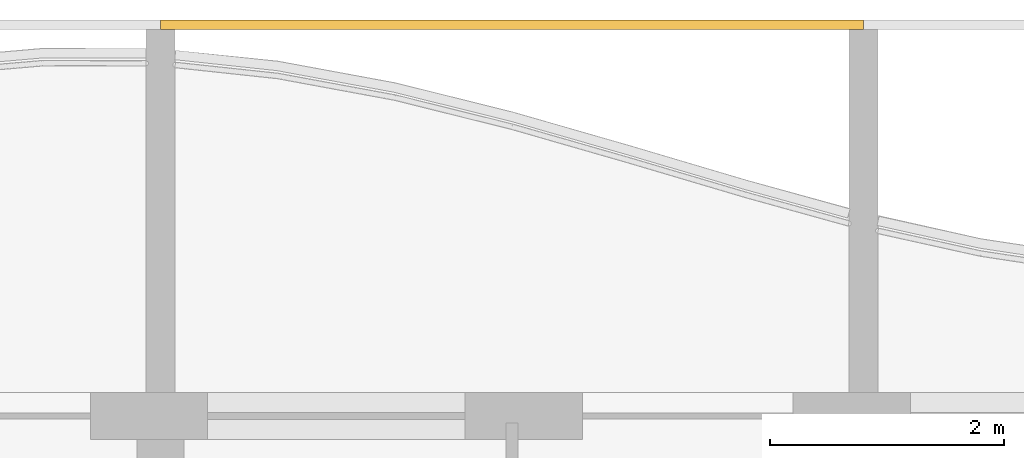
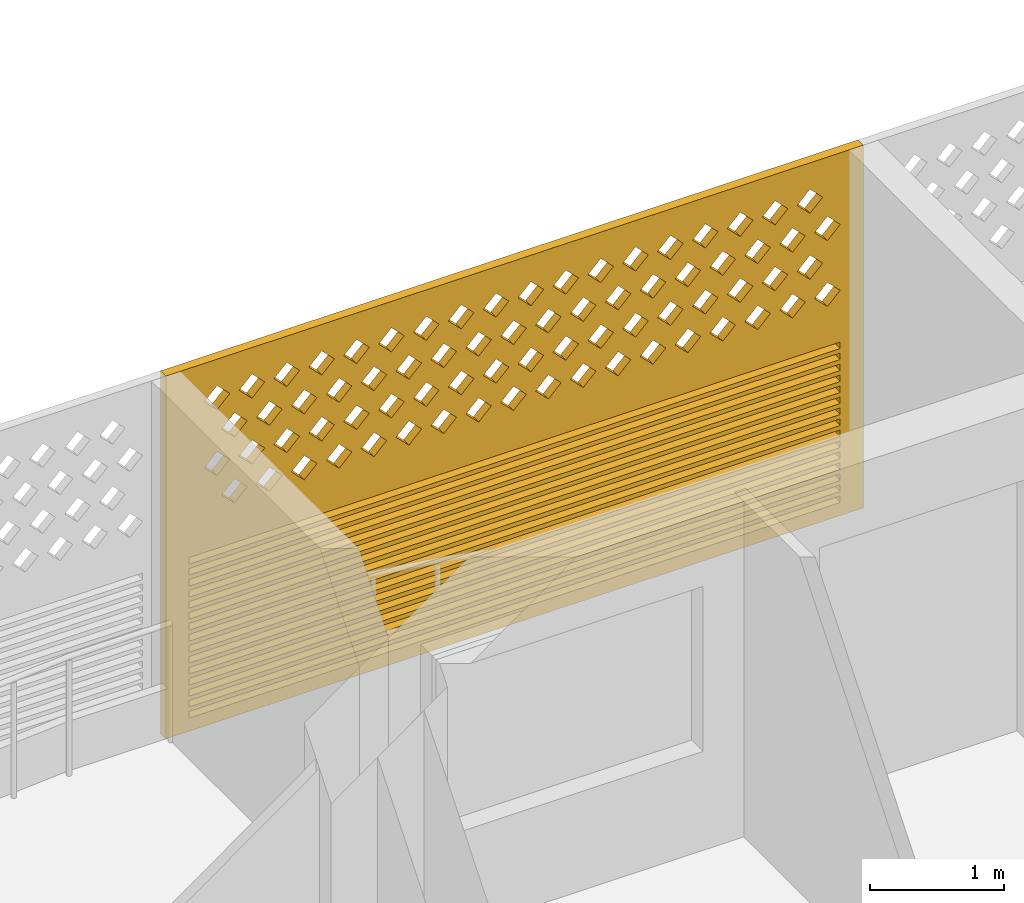
# One storey, part 38 of 40: 1 covering.
"""IFC4 building model written with IfcOpenShell, lengths in metres."""

from ifc_helpers import new_model, si_unit, direction, frame, origin, place, context, subcontext, project, spatial, polyline, outline, extrude, source, transform, mapped, material, material_profile, profile_set, type_object, element, save


model = new_model("IFC4")

# Units and contexts
model_context = context("Model", 3, precision=1e-05, world=origin(), true_north=direction((0.0, 1.0)))
body_context = subcontext(model_context, "Body", "Model", "MODEL_VIEW")
ifc_project = project(units=[si_unit("LENGTHUNIT", "METRE"), si_unit("AREAUNIT", "SQUARE_METRE"), si_unit("VOLUMEUNIT", "CUBIC_METRE"), si_unit("PLANEANGLEUNIT", "RADIAN"), si_unit("MASSUNIT", "GRAM", prefix="KILO")], contexts=[model_context])

# Site, building, storey
site_placement = place(None, origin())
site = spatial("IfcSite", under=ifc_project, at=site_placement, CompositionType="ELEMENT")
building_placement = place(site_placement, origin())
building = spatial("IfcBuilding", under=site, at=building_placement, Name="Poui Terraces", CompositionType="ELEMENT")
storey_placement = place(building_placement, frame((0.0, 0.0, 39.89990234375)))
storey = spatial("IfcBuildingStorey", under=building, at=storey_placement, Name="L10", CompositionType="ELEMENT", Elevation=39.89990234375)

# Covering
ifc_material = material(Name="Terracotta screen", Category="masonry")
ifc_material_profile = material_profile(ifc_material, outline(polyline([(-3.0, -1.64990234375), (3.0, -1.64990234375), (3.0, 1.64990234375), (-3.0, 1.64990234375), (-3.0, -1.64990234375)]), holes=[polyline([(-2.800048828125, 0.39990234375), (-2.68994140625, 0.2900390625), (-2.580078125, 0.39990234375), (-2.68994140625, 0.510009765625), (-2.800048828125, 0.39990234375)]), polyline([(-2.5, 0.39990234375), (-2.389892578125, 0.2900390625), (-2.280029296875, 0.39990234375), (-2.389892578125, 0.510009765625), (-2.5, 0.39990234375)]), polyline([(-2.199951171875, 0.39990234375), (-2.090087890625, 0.2900390625), (-1.97998046875, 0.39990234375), (-2.090087890625, 0.510009765625), (-2.199951171875, 0.39990234375)]), polyline([(-1.89990234375, 0.39990234375), (-1.7900390625, 0.2900390625), (-1.679931640625, 0.39990234375), (-1.7900390625, 0.510009765625), (-1.89990234375, 0.39990234375)]), polyline([(-1.60009765625, 0.39990234375), (-1.489990234375, 0.2900390625), (-1.3798828125, 0.39990234375), (-1.489990234375, 0.510009765625), (-1.60009765625, 0.39990234375)]), polyline([(-1.300048828125, 0.39990234375), (-1.18994140625, 0.2900390625), (-1.080078125, 0.39990234375), (-1.18994140625, 0.510009765625), (-1.300048828125, 0.39990234375)]), polyline([(-1.0, 0.39990234375), (-0.889892578125, 0.2900390625), (-0.780029296875, 0.39990234375), (-0.889892578125, 0.510009765625), (-1.0, 0.39990234375)]), polyline([(-0.699951171875, 0.39990234375), (-0.590087890625, 0.2900390625), (-0.47998046875, 0.39990234375), (-0.590087890625, 0.510009765625), (-0.699951171875, 0.39990234375)]), polyline([(-0.39990234375, 0.39990234375), (-0.2900390625, 0.2900390625), (-0.179931640625, 0.39990234375), (-0.2900390625, 0.510009765625), (-0.39990234375, 0.39990234375)]), polyline([(-0.10009765625, 0.39990234375), (0.010009765625, 0.2900390625), (0.1201171875, 0.39990234375), (0.010009765625, 0.510009765625), (-0.10009765625, 0.39990234375)]), polyline([(0.199951171875, 0.39990234375), (0.31005859375, 0.2900390625), (0.419921875, 0.39990234375), (0.31005859375, 0.510009765625), (0.199951171875, 0.39990234375)]), polyline([(0.5, 0.39990234375), (0.610107421875, 0.2900390625), (0.719970703125, 0.39990234375), (0.610107421875, 0.510009765625), (0.5, 0.39990234375)]), polyline([(0.800048828125, 0.39990234375), (0.909912109375, 0.2900390625), (1.02001953125, 0.39990234375), (0.909912109375, 0.510009765625), (0.800048828125, 0.39990234375)]), polyline([(1.10009765625, 0.39990234375), (1.2099609375, 0.2900390625), (1.320068359375, 0.39990234375), (1.2099609375, 0.510009765625), (1.10009765625, 0.39990234375)]), polyline([(1.39990234375, 0.39990234375), (1.510009765625, 0.2900390625), (1.6201171875, 0.39990234375), (1.510009765625, 0.510009765625), (1.39990234375, 0.39990234375)]), polyline([(1.699951171875, 0.39990234375), (1.81005859375, 0.2900390625), (1.919921875, 0.39990234375), (1.81005859375, 0.510009765625), (1.699951171875, 0.39990234375)]), polyline([(2.0, 0.39990234375), (2.110107421875, 0.2900390625), (2.219970703125, 0.39990234375), (2.110107421875, 0.510009765625), (2.0, 0.39990234375)]), polyline([(2.300048828125, 0.39990234375), (2.409912109375, 0.2900390625), (2.52001953125, 0.39990234375), (2.409912109375, 0.510009765625), (2.300048828125, 0.39990234375)]), polyline([(-2.64990234375, 0.699951171875), (-2.5400390625, 0.590087890625), (-2.429931640625, 0.699951171875), (-2.5400390625, 0.81005859375), (-2.64990234375, 0.699951171875)]), polyline([(-2.35009765625, 0.699951171875), (-2.239990234375, 0.590087890625), (-2.1298828125, 0.699951171875), (-2.239990234375, 0.81005859375), (-2.35009765625, 0.699951171875)]), polyline([(-2.050048828125, 0.699951171875), (-1.93994140625, 0.590087890625), (-1.830078125, 0.699951171875), (-1.93994140625, 0.81005859375), (-2.050048828125, 0.699951171875)]), polyline([(-1.75, 0.699951171875), (-1.639892578125, 0.590087890625), (-1.530029296875, 0.699951171875), (-1.639892578125, 0.81005859375), (-1.75, 0.699951171875)]), polyline([(-1.449951171875, 0.699951171875), (-1.340087890625, 0.590087890625), (-1.22998046875, 0.699951171875), (-1.340087890625, 0.81005859375), (-1.449951171875, 0.699951171875)]), polyline([(-1.14990234375, 0.699951171875), (-1.0400390625, 0.590087890625), (-0.929931640625, 0.699951171875), (-1.0400390625, 0.81005859375), (-1.14990234375, 0.699951171875)]), polyline([(-0.85009765625, 0.699951171875), (-0.739990234375, 0.590087890625), (-0.6298828125, 0.699951171875), (-0.739990234375, 0.81005859375), (-0.85009765625, 0.699951171875)]), polyline([(-0.550048828125, 0.699951171875), (-0.43994140625, 0.590087890625), (-0.330078125, 0.699951171875), (-0.43994140625, 0.81005859375), (-0.550048828125, 0.699951171875)]), polyline([(-0.25, 0.699951171875), (-0.139892578125, 0.590087890625), (-0.030029296875, 0.699951171875), (-0.139892578125, 0.81005859375), (-0.25, 0.699951171875)]), polyline([(0.050048828125, 0.699951171875), (0.159912109375, 0.590087890625), (0.27001953125, 0.699951171875), (0.159912109375, 0.81005859375), (0.050048828125, 0.699951171875)]), polyline([(0.35009765625, 0.699951171875), (0.4599609375, 0.590087890625), (0.570068359375, 0.699951171875), (0.4599609375, 0.81005859375), (0.35009765625, 0.699951171875)]), polyline([(0.64990234375, 0.699951171875), (0.760009765625, 0.590087890625), (0.8701171875, 0.699951171875), (0.760009765625, 0.81005859375), (0.64990234375, 0.699951171875)]), polyline([(0.949951171875, 0.699951171875), (1.06005859375, 0.590087890625), (1.169921875, 0.699951171875), (1.06005859375, 0.81005859375), (0.949951171875, 0.699951171875)]), polyline([(1.25, 0.699951171875), (1.360107421875, 0.590087890625), (1.469970703125, 0.699951171875), (1.360107421875, 0.81005859375), (1.25, 0.699951171875)]), polyline([(1.550048828125, 0.699951171875), (1.659912109375, 0.590087890625), (1.77001953125, 0.699951171875), (1.659912109375, 0.81005859375), (1.550048828125, 0.699951171875)]), polyline([(1.85009765625, 0.699951171875), (1.9599609375, 0.590087890625), (2.070068359375, 0.699951171875), (1.9599609375, 0.81005859375), (1.85009765625, 0.699951171875)]), polyline([(2.14990234375, 0.699951171875), (2.260009765625, 0.590087890625), (2.3701171875, 0.699951171875), (2.260009765625, 0.81005859375), (2.14990234375, 0.699951171875)]), polyline([(2.449951171875, 0.699951171875), (2.56005859375, 0.590087890625), (2.669921875, 0.699951171875), (2.56005859375, 0.81005859375), (2.449951171875, 0.699951171875)]), polyline([(-2.800048828125, 1.0), (-2.68994140625, 0.889892578125), (-2.580078125, 1.0), (-2.68994140625, 1.110107421875), (-2.800048828125, 1.0)]), polyline([(-2.5, 1.0), (-2.389892578125, 0.889892578125), (-2.280029296875, 1.0), (-2.389892578125, 1.110107421875), (-2.5, 1.0)]), polyline([(-2.199951171875, 1.0), (-2.090087890625, 0.889892578125), (-1.97998046875, 1.0), (-2.090087890625, 1.110107421875), (-2.199951171875, 1.0)]), polyline([(-1.89990234375, 1.0), (-1.7900390625, 0.889892578125), (-1.679931640625, 1.0), (-1.7900390625, 1.110107421875), (-1.89990234375, 1.0)]), polyline([(-1.60009765625, 1.0), (-1.489990234375, 0.889892578125), (-1.3798828125, 1.0), (-1.489990234375, 1.110107421875), (-1.60009765625, 1.0)]), polyline([(-1.300048828125, 1.0), (-1.18994140625, 0.889892578125), (-1.080078125, 1.0), (-1.18994140625, 1.110107421875), (-1.300048828125, 1.0)]), polyline([(-1.0, 1.0), (-0.889892578125, 0.889892578125), (-0.780029296875, 1.0), (-0.889892578125, 1.110107421875), (-1.0, 1.0)]), polyline([(-0.699951171875, 1.0), (-0.590087890625, 0.889892578125), (-0.47998046875, 1.0), (-0.590087890625, 1.110107421875), (-0.699951171875, 1.0)]), polyline([(-0.39990234375, 1.0), (-0.2900390625, 0.889892578125), (-0.179931640625, 1.0), (-0.2900390625, 1.110107421875), (-0.39990234375, 1.0)]), polyline([(-0.10009765625, 1.0), (0.010009765625, 0.889892578125), (0.1201171875, 1.0), (0.010009765625, 1.110107421875), (-0.10009765625, 1.0)]), polyline([(0.199951171875, 1.0), (0.31005859375, 0.889892578125), (0.419921875, 1.0), (0.31005859375, 1.110107421875), (0.199951171875, 1.0)]), polyline([(0.5, 1.0), (0.610107421875, 0.889892578125), (0.719970703125, 1.0), (0.610107421875, 1.110107421875), (0.5, 1.0)]), polyline([(0.800048828125, 1.0), (0.909912109375, 0.889892578125), (1.02001953125, 1.0), (0.909912109375, 1.110107421875), (0.800048828125, 1.0)]), polyline([(1.10009765625, 1.0), (1.2099609375, 0.889892578125), (1.320068359375, 1.0), (1.2099609375, 1.110107421875), (1.10009765625, 1.0)]), polyline([(1.39990234375, 1.0), (1.510009765625, 0.889892578125), (1.6201171875, 1.0), (1.510009765625, 1.110107421875), (1.39990234375, 1.0)]), polyline([(1.699951171875, 1.0), (1.81005859375, 0.889892578125), (1.919921875, 1.0), (1.81005859375, 1.110107421875), (1.699951171875, 1.0)]), polyline([(2.0, 1.0), (2.110107421875, 0.889892578125), (2.219970703125, 1.0), (2.110107421875, 1.110107421875), (2.0, 1.0)]), polyline([(2.300048828125, 1.0), (2.409912109375, 0.889892578125), (2.52001953125, 1.0), (2.409912109375, 1.110107421875), (2.300048828125, 1.0)]), polyline([(-2.64990234375, 1.300048828125), (-2.5400390625, 1.18994140625), (-2.429931640625, 1.300048828125), (-2.5400390625, 1.409912109375), (-2.64990234375, 1.300048828125)]), polyline([(-2.35009765625, 1.300048828125), (-2.239990234375, 1.18994140625), (-2.1298828125, 1.300048828125), (-2.239990234375, 1.409912109375), (-2.35009765625, 1.300048828125)]), polyline([(-2.050048828125, 1.300048828125), (-1.93994140625, 1.18994140625), (-1.830078125, 1.300048828125), (-1.93994140625, 1.409912109375), (-2.050048828125, 1.300048828125)]), polyline([(-1.75, 1.300048828125), (-1.639892578125, 1.18994140625), (-1.530029296875, 1.300048828125), (-1.639892578125, 1.409912109375), (-1.75, 1.300048828125)]), polyline([(-1.449951171875, 1.300048828125), (-1.340087890625, 1.18994140625), (-1.22998046875, 1.300048828125), (-1.340087890625, 1.409912109375), (-1.449951171875, 1.300048828125)]), polyline([(-1.14990234375, 1.300048828125), (-1.0400390625, 1.18994140625), (-0.929931640625, 1.300048828125), (-1.0400390625, 1.409912109375), (-1.14990234375, 1.300048828125)]), polyline([(-0.85009765625, 1.300048828125), (-0.739990234375, 1.18994140625), (-0.6298828125, 1.300048828125), (-0.739990234375, 1.409912109375), (-0.85009765625, 1.300048828125)]), polyline([(-0.550048828125, 1.300048828125), (-0.43994140625, 1.18994140625), (-0.330078125, 1.300048828125), (-0.43994140625, 1.409912109375), (-0.550048828125, 1.300048828125)]), polyline([(-0.25, 1.300048828125), (-0.139892578125, 1.18994140625), (-0.030029296875, 1.300048828125), (-0.139892578125, 1.409912109375), (-0.25, 1.300048828125)]), polyline([(0.050048828125, 1.300048828125), (0.159912109375, 1.18994140625), (0.27001953125, 1.300048828125), (0.159912109375, 1.409912109375), (0.050048828125, 1.300048828125)]), polyline([(0.35009765625, 1.300048828125), (0.4599609375, 1.18994140625), (0.570068359375, 1.300048828125), (0.4599609375, 1.409912109375), (0.35009765625, 1.300048828125)]), polyline([(0.64990234375, 1.300048828125), (0.760009765625, 1.18994140625), (0.8701171875, 1.300048828125), (0.760009765625, 1.409912109375), (0.64990234375, 1.300048828125)]), polyline([(0.949951171875, 1.300048828125), (1.06005859375, 1.18994140625), (1.169921875, 1.300048828125), (1.06005859375, 1.409912109375), (0.949951171875, 1.300048828125)]), polyline([(1.25, 1.300048828125), (1.360107421875, 1.18994140625), (1.469970703125, 1.300048828125), (1.360107421875, 1.409912109375), (1.25, 1.300048828125)]), polyline([(1.550048828125, 1.300048828125), (1.659912109375, 1.18994140625), (1.77001953125, 1.300048828125), (1.659912109375, 1.409912109375), (1.550048828125, 1.300048828125)]), polyline([(1.85009765625, 1.300048828125), (1.9599609375, 1.18994140625), (2.070068359375, 1.300048828125), (1.9599609375, 1.409912109375), (1.85009765625, 1.300048828125)]), polyline([(2.14990234375, 1.300048828125), (2.260009765625, 1.18994140625), (2.3701171875, 1.300048828125), (2.260009765625, 1.409912109375), (2.14990234375, 1.300048828125)]), polyline([(2.449951171875, 1.300048828125), (2.56005859375, 1.18994140625), (2.669921875, 1.300048828125), (2.56005859375, 1.409912109375), (2.449951171875, 1.300048828125)]), polyline([(-2.800048828125, -1.530029296875), (2.800048828125, -1.530029296875), (2.800048828125, -1.469970703125), (-2.800048828125, -1.469970703125), (-2.800048828125, -1.530029296875)]), polyline([(-2.800048828125, -1.429931640625), (2.800048828125, -1.429931640625), (2.800048828125, -1.3701171875), (-2.800048828125, -1.3701171875), (-2.800048828125, -1.429931640625)]), polyline([(-2.800048828125, -1.330078125), (2.800048828125, -1.330078125), (2.800048828125, -1.27001953125), (-2.800048828125, -1.27001953125), (-2.800048828125, -1.330078125)]), polyline([(-2.800048828125, -1.22998046875), (2.800048828125, -1.22998046875), (2.800048828125, -1.169921875), (-2.800048828125, -1.169921875), (-2.800048828125, -1.22998046875)]), polyline([(-2.800048828125, -1.1298828125), (2.800048828125, -1.1298828125), (2.800048828125, -1.070068359375), (-2.800048828125, -1.070068359375), (-2.800048828125, -1.1298828125)]), polyline([(-2.800048828125, -1.030029296875), (2.800048828125, -1.030029296875), (2.800048828125, -0.969970703125), (-2.800048828125, -0.969970703125), (-2.800048828125, -1.030029296875)]), polyline([(-2.800048828125, -0.929931640625), (2.800048828125, -0.929931640625), (2.800048828125, -0.8701171875), (-2.800048828125, -0.8701171875), (-2.800048828125, -0.929931640625)]), polyline([(-2.800048828125, -0.830078125), (2.800048828125, -0.830078125), (2.800048828125, -0.77001953125), (-2.800048828125, -0.77001953125), (-2.800048828125, -0.830078125)]), polyline([(-2.800048828125, -0.72998046875), (2.800048828125, -0.72998046875), (2.800048828125, -0.669921875), (-2.800048828125, -0.669921875), (-2.800048828125, -0.72998046875)]), polyline([(-2.800048828125, -0.6298828125), (2.800048828125, -0.6298828125), (2.800048828125, -0.570068359375), (-2.800048828125, -0.570068359375), (-2.800048828125, -0.6298828125)]), polyline([(-2.800048828125, -0.530029296875), (2.800048828125, -0.530029296875), (2.800048828125, -0.469970703125), (-2.800048828125, -0.469970703125), (-2.800048828125, -0.530029296875)]), polyline([(-2.800048828125, -0.429931640625), (2.800048828125, -0.429931640625), (2.800048828125, -0.3701171875), (-2.800048828125, -0.3701171875), (-2.800048828125, -0.429931640625)]), polyline([(-2.800048828125, -0.330078125), (2.800048828125, -0.330078125), (2.800048828125, -0.27001953125), (-2.800048828125, -0.27001953125), (-2.800048828125, -0.330078125)]), polyline([(-2.800048828125, -0.22998046875), (2.800048828125, -0.22998046875), (2.800048828125, -0.169921875), (-2.800048828125, -0.169921875), (-2.800048828125, -0.22998046875)]), polyline([(-2.800048828125, -0.1298828125), (2.800048828125, -0.1298828125), (2.800048828125, -0.070068359375), (-2.800048828125, -0.070068359375), (-2.800048828125, -0.1298828125)])]), Name="TERRACOTTA SCREEN AND JALOUSIE LOUVRE 6000X3300")
ifc_profile_set = profile_set([ifc_material_profile], Name="Terracotta screen")
covering_type = type_object("IfcCoveringType", Name="TERRACOTTA SCREEN AND JALOUSIE LOUVRE 6000X3300", PredefinedType="CLADDING", material=ifc_profile_set)
shared_shape = source(origin(), body_context, "Body", "SweptSolid", [
    extrude(outline(polyline([(-3.0, -1.64990234375), (3.0, -1.64990234375), (3.0, 1.64990234375), (-3.0, 1.64990234375), (-3.0, -1.64990234375)]), holes=[polyline([(-2.800048828125, 0.39990234375), (-2.68994140625, 0.2900390625), (-2.580078125, 0.39990234375), (-2.68994140625, 0.510009765625), (-2.800048828125, 0.39990234375)]), polyline([(-2.5, 0.39990234375), (-2.389892578125, 0.2900390625), (-2.280029296875, 0.39990234375), (-2.389892578125, 0.510009765625), (-2.5, 0.39990234375)]), polyline([(-2.199951171875, 0.39990234375), (-2.090087890625, 0.2900390625), (-1.97998046875, 0.39990234375), (-2.090087890625, 0.510009765625), (-2.199951171875, 0.39990234375)]), polyline([(-1.89990234375, 0.39990234375), (-1.7900390625, 0.2900390625), (-1.679931640625, 0.39990234375), (-1.7900390625, 0.510009765625), (-1.89990234375, 0.39990234375)]), polyline([(-1.60009765625, 0.39990234375), (-1.489990234375, 0.2900390625), (-1.3798828125, 0.39990234375), (-1.489990234375, 0.510009765625), (-1.60009765625, 0.39990234375)]), polyline([(-1.300048828125, 0.39990234375), (-1.18994140625, 0.2900390625), (-1.080078125, 0.39990234375), (-1.18994140625, 0.510009765625), (-1.300048828125, 0.39990234375)]), polyline([(-1.0, 0.39990234375), (-0.889892578125, 0.2900390625), (-0.780029296875, 0.39990234375), (-0.889892578125, 0.510009765625), (-1.0, 0.39990234375)]), polyline([(-0.699951171875, 0.39990234375), (-0.590087890625, 0.2900390625), (-0.47998046875, 0.39990234375), (-0.590087890625, 0.510009765625), (-0.699951171875, 0.39990234375)]), polyline([(-0.39990234375, 0.39990234375), (-0.2900390625, 0.2900390625), (-0.179931640625, 0.39990234375), (-0.2900390625, 0.510009765625), (-0.39990234375, 0.39990234375)]), polyline([(-0.10009765625, 0.39990234375), (0.010009765625, 0.2900390625), (0.1201171875, 0.39990234375), (0.010009765625, 0.510009765625), (-0.10009765625, 0.39990234375)]), polyline([(0.199951171875, 0.39990234375), (0.31005859375, 0.2900390625), (0.419921875, 0.39990234375), (0.31005859375, 0.510009765625), (0.199951171875, 0.39990234375)]), polyline([(0.5, 0.39990234375), (0.610107421875, 0.2900390625), (0.719970703125, 0.39990234375), (0.610107421875, 0.510009765625), (0.5, 0.39990234375)]), polyline([(0.800048828125, 0.39990234375), (0.909912109375, 0.2900390625), (1.02001953125, 0.39990234375), (0.909912109375, 0.510009765625), (0.800048828125, 0.39990234375)]), polyline([(1.10009765625, 0.39990234375), (1.2099609375, 0.2900390625), (1.320068359375, 0.39990234375), (1.2099609375, 0.510009765625), (1.10009765625, 0.39990234375)]), polyline([(1.39990234375, 0.39990234375), (1.510009765625, 0.2900390625), (1.6201171875, 0.39990234375), (1.510009765625, 0.510009765625), (1.39990234375, 0.39990234375)]), polyline([(1.699951171875, 0.39990234375), (1.81005859375, 0.2900390625), (1.919921875, 0.39990234375), (1.81005859375, 0.510009765625), (1.699951171875, 0.39990234375)]), polyline([(2.0, 0.39990234375), (2.110107421875, 0.2900390625), (2.219970703125, 0.39990234375), (2.110107421875, 0.510009765625), (2.0, 0.39990234375)]), polyline([(2.300048828125, 0.39990234375), (2.409912109375, 0.2900390625), (2.52001953125, 0.39990234375), (2.409912109375, 0.510009765625), (2.300048828125, 0.39990234375)]), polyline([(-2.64990234375, 0.699951171875), (-2.5400390625, 0.590087890625), (-2.429931640625, 0.699951171875), (-2.5400390625, 0.81005859375), (-2.64990234375, 0.699951171875)]), polyline([(-2.35009765625, 0.699951171875), (-2.239990234375, 0.590087890625), (-2.1298828125, 0.699951171875), (-2.239990234375, 0.81005859375), (-2.35009765625, 0.699951171875)]), polyline([(-2.050048828125, 0.699951171875), (-1.93994140625, 0.590087890625), (-1.830078125, 0.699951171875), (-1.93994140625, 0.81005859375), (-2.050048828125, 0.699951171875)]), polyline([(-1.75, 0.699951171875), (-1.639892578125, 0.590087890625), (-1.530029296875, 0.699951171875), (-1.639892578125, 0.81005859375), (-1.75, 0.699951171875)]), polyline([(-1.449951171875, 0.699951171875), (-1.340087890625, 0.590087890625), (-1.22998046875, 0.699951171875), (-1.340087890625, 0.81005859375), (-1.449951171875, 0.699951171875)]), polyline([(-1.14990234375, 0.699951171875), (-1.0400390625, 0.590087890625), (-0.929931640625, 0.699951171875), (-1.0400390625, 0.81005859375), (-1.14990234375, 0.699951171875)]), polyline([(-0.85009765625, 0.699951171875), (-0.739990234375, 0.590087890625), (-0.6298828125, 0.699951171875), (-0.739990234375, 0.81005859375), (-0.85009765625, 0.699951171875)]), polyline([(-0.550048828125, 0.699951171875), (-0.43994140625, 0.590087890625), (-0.330078125, 0.699951171875), (-0.43994140625, 0.81005859375), (-0.550048828125, 0.699951171875)]), polyline([(-0.25, 0.699951171875), (-0.139892578125, 0.590087890625), (-0.030029296875, 0.699951171875), (-0.139892578125, 0.81005859375), (-0.25, 0.699951171875)]), polyline([(0.050048828125, 0.699951171875), (0.159912109375, 0.590087890625), (0.27001953125, 0.699951171875), (0.159912109375, 0.81005859375), (0.050048828125, 0.699951171875)]), polyline([(0.35009765625, 0.699951171875), (0.4599609375, 0.590087890625), (0.570068359375, 0.699951171875), (0.4599609375, 0.81005859375), (0.35009765625, 0.699951171875)]), polyline([(0.64990234375, 0.699951171875), (0.760009765625, 0.590087890625), (0.8701171875, 0.699951171875), (0.760009765625, 0.81005859375), (0.64990234375, 0.699951171875)]), polyline([(0.949951171875, 0.699951171875), (1.06005859375, 0.590087890625), (1.169921875, 0.699951171875), (1.06005859375, 0.81005859375), (0.949951171875, 0.699951171875)]), polyline([(1.25, 0.699951171875), (1.360107421875, 0.590087890625), (1.469970703125, 0.699951171875), (1.360107421875, 0.81005859375), (1.25, 0.699951171875)]), polyline([(1.550048828125, 0.699951171875), (1.659912109375, 0.590087890625), (1.77001953125, 0.699951171875), (1.659912109375, 0.81005859375), (1.550048828125, 0.699951171875)]), polyline([(1.85009765625, 0.699951171875), (1.9599609375, 0.590087890625), (2.070068359375, 0.699951171875), (1.9599609375, 0.81005859375), (1.85009765625, 0.699951171875)]), polyline([(2.14990234375, 0.699951171875), (2.260009765625, 0.590087890625), (2.3701171875, 0.699951171875), (2.260009765625, 0.81005859375), (2.14990234375, 0.699951171875)]), polyline([(2.449951171875, 0.699951171875), (2.56005859375, 0.590087890625), (2.669921875, 0.699951171875), (2.56005859375, 0.81005859375), (2.449951171875, 0.699951171875)]), polyline([(-2.800048828125, 1.0), (-2.68994140625, 0.889892578125), (-2.580078125, 1.0), (-2.68994140625, 1.110107421875), (-2.800048828125, 1.0)]), polyline([(-2.5, 1.0), (-2.389892578125, 0.889892578125), (-2.280029296875, 1.0), (-2.389892578125, 1.110107421875), (-2.5, 1.0)]), polyline([(-2.199951171875, 1.0), (-2.090087890625, 0.889892578125), (-1.97998046875, 1.0), (-2.090087890625, 1.110107421875), (-2.199951171875, 1.0)]), polyline([(-1.89990234375, 1.0), (-1.7900390625, 0.889892578125), (-1.679931640625, 1.0), (-1.7900390625, 1.110107421875), (-1.89990234375, 1.0)]), polyline([(-1.60009765625, 1.0), (-1.489990234375, 0.889892578125), (-1.3798828125, 1.0), (-1.489990234375, 1.110107421875), (-1.60009765625, 1.0)]), polyline([(-1.300048828125, 1.0), (-1.18994140625, 0.889892578125), (-1.080078125, 1.0), (-1.18994140625, 1.110107421875), (-1.300048828125, 1.0)]), polyline([(-1.0, 1.0), (-0.889892578125, 0.889892578125), (-0.780029296875, 1.0), (-0.889892578125, 1.110107421875), (-1.0, 1.0)]), polyline([(-0.699951171875, 1.0), (-0.590087890625, 0.889892578125), (-0.47998046875, 1.0), (-0.590087890625, 1.110107421875), (-0.699951171875, 1.0)]), polyline([(-0.39990234375, 1.0), (-0.2900390625, 0.889892578125), (-0.179931640625, 1.0), (-0.2900390625, 1.110107421875), (-0.39990234375, 1.0)]), polyline([(-0.10009765625, 1.0), (0.010009765625, 0.889892578125), (0.1201171875, 1.0), (0.010009765625, 1.110107421875), (-0.10009765625, 1.0)]), polyline([(0.199951171875, 1.0), (0.31005859375, 0.889892578125), (0.419921875, 1.0), (0.31005859375, 1.110107421875), (0.199951171875, 1.0)]), polyline([(0.5, 1.0), (0.610107421875, 0.889892578125), (0.719970703125, 1.0), (0.610107421875, 1.110107421875), (0.5, 1.0)]), polyline([(0.800048828125, 1.0), (0.909912109375, 0.889892578125), (1.02001953125, 1.0), (0.909912109375, 1.110107421875), (0.800048828125, 1.0)]), polyline([(1.10009765625, 1.0), (1.2099609375, 0.889892578125), (1.320068359375, 1.0), (1.2099609375, 1.110107421875), (1.10009765625, 1.0)]), polyline([(1.39990234375, 1.0), (1.510009765625, 0.889892578125), (1.6201171875, 1.0), (1.510009765625, 1.110107421875), (1.39990234375, 1.0)]), polyline([(1.699951171875, 1.0), (1.81005859375, 0.889892578125), (1.919921875, 1.0), (1.81005859375, 1.110107421875), (1.699951171875, 1.0)]), polyline([(2.0, 1.0), (2.110107421875, 0.889892578125), (2.219970703125, 1.0), (2.110107421875, 1.110107421875), (2.0, 1.0)]), polyline([(2.300048828125, 1.0), (2.409912109375, 0.889892578125), (2.52001953125, 1.0), (2.409912109375, 1.110107421875), (2.300048828125, 1.0)]), polyline([(-2.64990234375, 1.300048828125), (-2.5400390625, 1.18994140625), (-2.429931640625, 1.300048828125), (-2.5400390625, 1.409912109375), (-2.64990234375, 1.300048828125)]), polyline([(-2.35009765625, 1.300048828125), (-2.239990234375, 1.18994140625), (-2.1298828125, 1.300048828125), (-2.239990234375, 1.409912109375), (-2.35009765625, 1.300048828125)]), polyline([(-2.050048828125, 1.300048828125), (-1.93994140625, 1.18994140625), (-1.830078125, 1.300048828125), (-1.93994140625, 1.409912109375), (-2.050048828125, 1.300048828125)]), polyline([(-1.75, 1.300048828125), (-1.639892578125, 1.18994140625), (-1.530029296875, 1.300048828125), (-1.639892578125, 1.409912109375), (-1.75, 1.300048828125)]), polyline([(-1.449951171875, 1.300048828125), (-1.340087890625, 1.18994140625), (-1.22998046875, 1.300048828125), (-1.340087890625, 1.409912109375), (-1.449951171875, 1.300048828125)]), polyline([(-1.14990234375, 1.300048828125), (-1.0400390625, 1.18994140625), (-0.929931640625, 1.300048828125), (-1.0400390625, 1.409912109375), (-1.14990234375, 1.300048828125)]), polyline([(-0.85009765625, 1.300048828125), (-0.739990234375, 1.18994140625), (-0.6298828125, 1.300048828125), (-0.739990234375, 1.409912109375), (-0.85009765625, 1.300048828125)]), polyline([(-0.550048828125, 1.300048828125), (-0.43994140625, 1.18994140625), (-0.330078125, 1.300048828125), (-0.43994140625, 1.409912109375), (-0.550048828125, 1.300048828125)]), polyline([(-0.25, 1.300048828125), (-0.139892578125, 1.18994140625), (-0.030029296875, 1.300048828125), (-0.139892578125, 1.409912109375), (-0.25, 1.300048828125)]), polyline([(0.050048828125, 1.300048828125), (0.159912109375, 1.18994140625), (0.27001953125, 1.300048828125), (0.159912109375, 1.409912109375), (0.050048828125, 1.300048828125)]), polyline([(0.35009765625, 1.300048828125), (0.4599609375, 1.18994140625), (0.570068359375, 1.300048828125), (0.4599609375, 1.409912109375), (0.35009765625, 1.300048828125)]), polyline([(0.64990234375, 1.300048828125), (0.760009765625, 1.18994140625), (0.8701171875, 1.300048828125), (0.760009765625, 1.409912109375), (0.64990234375, 1.300048828125)]), polyline([(0.949951171875, 1.300048828125), (1.06005859375, 1.18994140625), (1.169921875, 1.300048828125), (1.06005859375, 1.409912109375), (0.949951171875, 1.300048828125)]), polyline([(1.25, 1.300048828125), (1.360107421875, 1.18994140625), (1.469970703125, 1.300048828125), (1.360107421875, 1.409912109375), (1.25, 1.300048828125)]), polyline([(1.550048828125, 1.300048828125), (1.659912109375, 1.18994140625), (1.77001953125, 1.300048828125), (1.659912109375, 1.409912109375), (1.550048828125, 1.300048828125)]), polyline([(1.85009765625, 1.300048828125), (1.9599609375, 1.18994140625), (2.070068359375, 1.300048828125), (1.9599609375, 1.409912109375), (1.85009765625, 1.300048828125)]), polyline([(2.14990234375, 1.300048828125), (2.260009765625, 1.18994140625), (2.3701171875, 1.300048828125), (2.260009765625, 1.409912109375), (2.14990234375, 1.300048828125)]), polyline([(2.449951171875, 1.300048828125), (2.56005859375, 1.18994140625), (2.669921875, 1.300048828125), (2.56005859375, 1.409912109375), (2.449951171875, 1.300048828125)]), polyline([(-2.800048828125, -1.530029296875), (2.800048828125, -1.530029296875), (2.800048828125, -1.469970703125), (-2.800048828125, -1.469970703125), (-2.800048828125, -1.530029296875)]), polyline([(-2.800048828125, -1.429931640625), (2.800048828125, -1.429931640625), (2.800048828125, -1.3701171875), (-2.800048828125, -1.3701171875), (-2.800048828125, -1.429931640625)]), polyline([(-2.800048828125, -1.330078125), (2.800048828125, -1.330078125), (2.800048828125, -1.27001953125), (-2.800048828125, -1.27001953125), (-2.800048828125, -1.330078125)]), polyline([(-2.800048828125, -1.22998046875), (2.800048828125, -1.22998046875), (2.800048828125, -1.169921875), (-2.800048828125, -1.169921875), (-2.800048828125, -1.22998046875)]), polyline([(-2.800048828125, -1.1298828125), (2.800048828125, -1.1298828125), (2.800048828125, -1.070068359375), (-2.800048828125, -1.070068359375), (-2.800048828125, -1.1298828125)]), polyline([(-2.800048828125, -1.030029296875), (2.800048828125, -1.030029296875), (2.800048828125, -0.969970703125), (-2.800048828125, -0.969970703125), (-2.800048828125, -1.030029296875)]), polyline([(-2.800048828125, -0.929931640625), (2.800048828125, -0.929931640625), (2.800048828125, -0.8701171875), (-2.800048828125, -0.8701171875), (-2.800048828125, -0.929931640625)]), polyline([(-2.800048828125, -0.830078125), (2.800048828125, -0.830078125), (2.800048828125, -0.77001953125), (-2.800048828125, -0.77001953125), (-2.800048828125, -0.830078125)]), polyline([(-2.800048828125, -0.72998046875), (2.800048828125, -0.72998046875), (2.800048828125, -0.669921875), (-2.800048828125, -0.669921875), (-2.800048828125, -0.72998046875)]), polyline([(-2.800048828125, -0.6298828125), (2.800048828125, -0.6298828125), (2.800048828125, -0.570068359375), (-2.800048828125, -0.570068359375), (-2.800048828125, -0.6298828125)]), polyline([(-2.800048828125, -0.530029296875), (2.800048828125, -0.530029296875), (2.800048828125, -0.469970703125), (-2.800048828125, -0.469970703125), (-2.800048828125, -0.530029296875)]), polyline([(-2.800048828125, -0.429931640625), (2.800048828125, -0.429931640625), (2.800048828125, -0.3701171875), (-2.800048828125, -0.3701171875), (-2.800048828125, -0.429931640625)]), polyline([(-2.800048828125, -0.330078125), (2.800048828125, -0.330078125), (2.800048828125, -0.27001953125), (-2.800048828125, -0.27001953125), (-2.800048828125, -0.330078125)]), polyline([(-2.800048828125, -0.22998046875), (2.800048828125, -0.22998046875), (2.800048828125, -0.169921875), (-2.800048828125, -0.169921875), (-2.800048828125, -0.22998046875)]), polyline([(-2.800048828125, -0.1298828125), (2.800048828125, -0.1298828125), (2.800048828125, -0.070068359375), (-2.800048828125, -0.070068359375), (-2.800048828125, -0.1298828125)])]), origin(), (0.0, 0.0, 1.0), 0.079833984375),
])
covering_placement = place(storey_placement, frame((87.0, 48.10009765625, 1.4501953125), z_axis=(0.0, 1.0, 0.0), x_axis=(-1.0, 0.0, 0.0)))
element("IfcCovering", 1, at=covering_placement, inside=storey, type_object=covering_type, Name="SOLAR SCREEN AND JALOUSIE LOUVRE", PredefinedType="CLADDING", context=body_context, shape_type="MappedRepresentation", body=[
    mapped(shared_shape, transform((0.0, 0.0, 0.0))),
])

save(model, "model.ifc")
